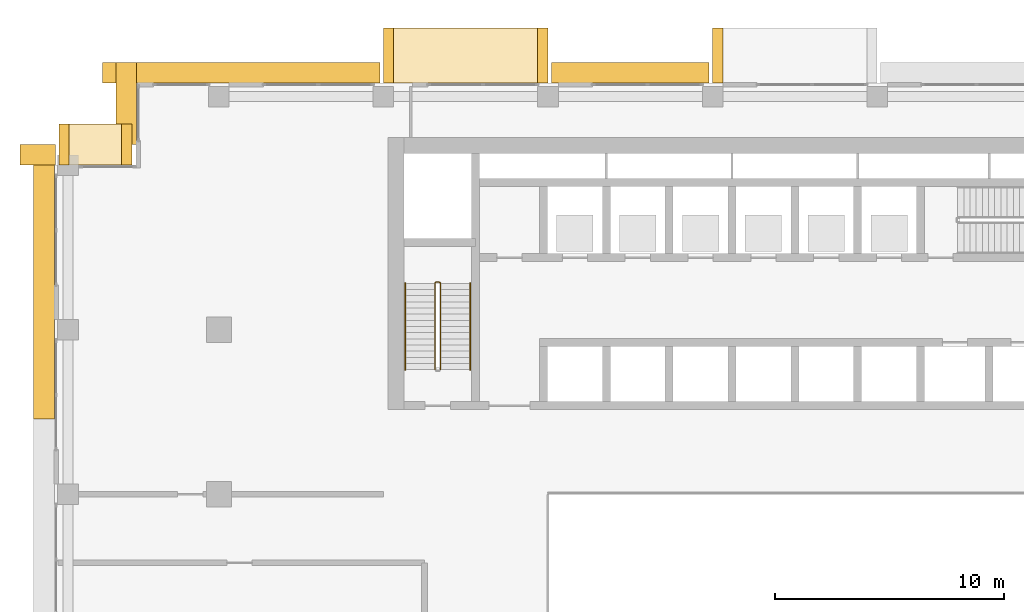
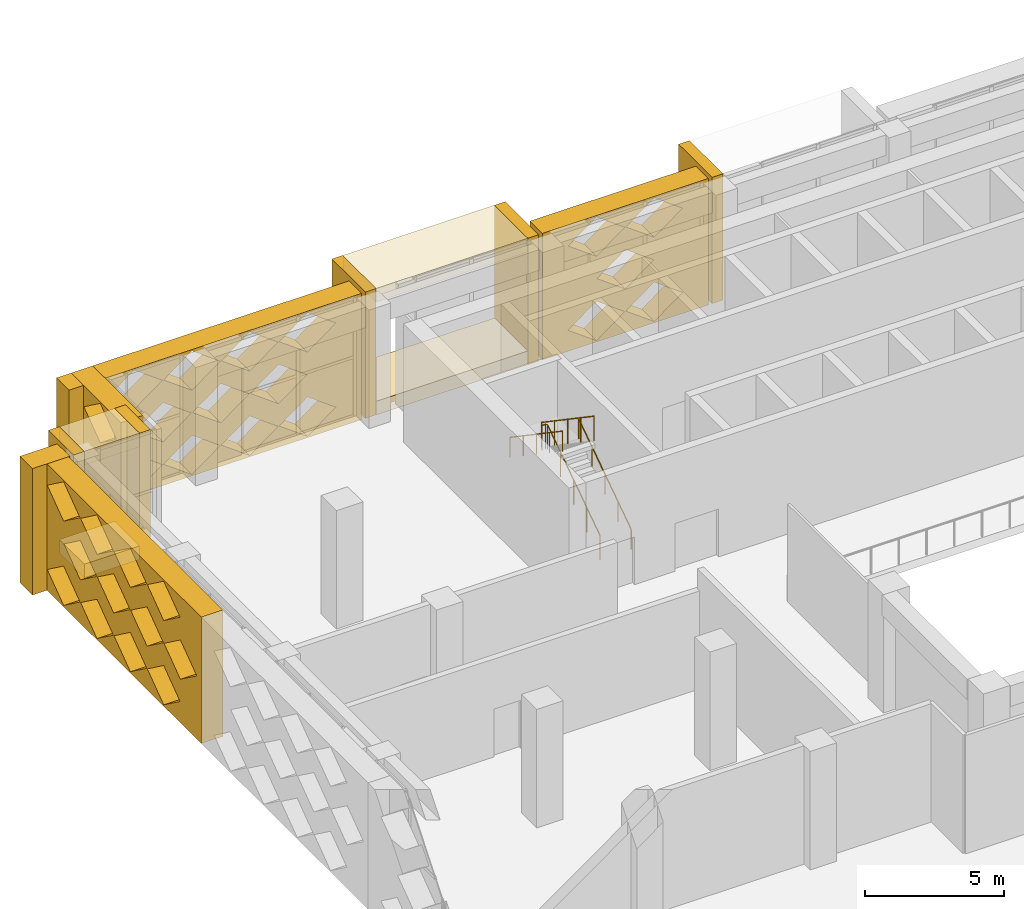
# One storey, part 22 of 25: 14 coverings, 3 railings.
"""IFC4 building model written with IfcOpenShell, lengths in metres."""

from ifc_helpers import new_model, si_unit, direction, frame, origin, origin_2d, place, context, subcontext, project, spatial, polyline, circle, outline, extrude, material, type_object, element, save


model = new_model("IFC4")

# Units and contexts
model_context = context("Model", 3, precision=1e-05, world=origin(), true_north=direction((0.0, 1.0)))
body_context = subcontext(model_context, "Body", "Model", "MODEL_VIEW")
ifc_project = project(units=[si_unit("LENGTHUNIT", "METRE"), si_unit("AREAUNIT", "SQUARE_METRE"), si_unit("VOLUMEUNIT", "CUBIC_METRE"), si_unit("PLANEANGLEUNIT", "RADIAN"), si_unit("MASSUNIT", "GRAM", prefix="KILO")], contexts=[model_context])

# Site, building, storey
site_placement = place(None, origin())
site = spatial("IfcSite", under=ifc_project, at=site_placement, CompositionType="ELEMENT")
building_placement = place(site_placement, origin())
building = spatial("IfcBuilding", under=site, at=building_placement, Name="Saffron Iwan Residences", CompositionType="ELEMENT")
storey_placement = place(building_placement, frame((0.0, 0.0, 137.5)))
storey = spatial("IfcBuildingStorey", under=building, at=storey_placement, Name="L36", CompositionType="ELEMENT", Elevation=137.5)

# Coverings
ifc_material_1 = material(Name="Precast concrete C40/50", Category="concrete")
covering_type_1 = type_object("IfcCoveringType", Name="OUTER SKIN LATTICE SCREEN", PredefinedType="CLADDING", material=ifc_material_1)
covering_1_placement = place(storey_placement, frame((43.050048828125, 80.39990234375, -0.35009765625), z_axis=(0.0, 1.0, 0.0), x_axis=(-1.0, 0.0, 0.0)))
element("IfcCovering", 1, at=covering_1_placement, inside=storey, type_object=covering_type_1, Name="OUTER SKIN lattice screen L36 F5.3", PredefinedType="CLADDING", context=body_context, shape_type="SweptSolid", body=[
    extrude(outline(polyline([(0.0, 0.0), (6.89990234375, 0.0), (6.89990234375, 5.550048828125), (0.0, 5.550048828125), (0.0, 0.0)]), holes=[polyline([(1.070068359375, 0.925048828125), (2.25, 0.06005859375), (3.429931640625, 0.925048828125), (2.25, 1.7900390625), (1.070068359375, 0.925048828125)]), polyline([(3.469970703125, 0.925048828125), (4.64990234375, 0.06005859375), (5.830078125, 0.925048828125), (4.64990234375, 1.7900390625), (3.469970703125, 0.925048828125)]), polyline([(2.27001953125, 2.77490234375), (3.449951171875, 1.909912109375), (4.6298828125, 2.77490234375), (3.449951171875, 3.639892578125), (2.27001953125, 2.77490234375)]), polyline([(1.070068359375, 4.625), (2.25, 3.760009765625), (3.429931640625, 4.625), (2.25, 5.489990234375), (1.070068359375, 4.625)]), polyline([(3.469970703125, 4.625), (4.64990234375, 3.760009765625), (5.830078125, 4.625), (4.64990234375, 5.489990234375), (3.469970703125, 4.625)])]), origin(), (0.0, 0.0, 1.0), 0.900146484375),
])
covering_2_placement = place(storey_placement, frame((28.64990234375, 80.39990234375, -0.35009765625), z_axis=(0.0, 1.0, 0.0), x_axis=(-1.0, 0.0, 0.0)))
element("IfcCovering", 2, at=covering_2_placement, inside=storey, type_object=covering_type_1, Name="OUTER SKIN lattice screen L36 F5.4", PredefinedType="CLADDING", context=body_context, shape_type="SweptSolid", body=[
    extrude(outline(polyline([(0.0, 0.0), (12.14990234375, 0.0), (12.14990234375, 5.550048828125), (0.0, 5.550048828125), (0.0, 0.0)]), holes=[polyline([(1.070068359375, 0.925048828125), (2.25, 0.06005859375), (3.429931640625, 0.925048828125), (2.25, 1.7900390625), (1.070068359375, 0.925048828125)]), polyline([(3.469970703125, 0.925048828125), (4.64990234375, 0.06005859375), (5.830078125, 0.925048828125), (4.64990234375, 1.7900390625), (3.469970703125, 0.925048828125)]), polyline([(5.8701171875, 0.925048828125), (7.050048828125, 0.06005859375), (8.22998046875, 0.925048828125), (7.050048828125, 1.7900390625), (5.8701171875, 0.925048828125)]), polyline([(8.27001953125, 0.925048828125), (9.449951171875, 0.06005859375), (10.6298828125, 0.925048828125), (9.449951171875, 1.7900390625), (8.27001953125, 0.925048828125)]), polyline([(2.27001953125, 2.77490234375), (3.449951171875, 1.909912109375), (4.6298828125, 2.77490234375), (3.449951171875, 3.639892578125), (2.27001953125, 2.77490234375)]), polyline([(4.669921875, 2.77490234375), (5.85009765625, 1.909912109375), (7.030029296875, 2.77490234375), (5.85009765625, 3.639892578125), (4.669921875, 2.77490234375)]), polyline([(7.070068359375, 2.77490234375), (8.25, 1.909912109375), (9.429931640625, 2.77490234375), (8.25, 3.639892578125), (7.070068359375, 2.77490234375)]), polyline([(9.469970703125, 2.77490234375), (10.64990234375, 1.909912109375), (11.830078125, 2.77490234375), (10.64990234375, 3.639892578125), (9.469970703125, 2.77490234375)]), polyline([(1.070068359375, 4.625), (2.25, 3.760009765625), (3.429931640625, 4.625), (2.25, 5.489990234375), (1.070068359375, 4.625)]), polyline([(3.469970703125, 4.625), (4.64990234375, 3.760009765625), (5.830078125, 4.625), (4.64990234375, 5.489990234375), (3.469970703125, 4.625)]), polyline([(5.8701171875, 4.625), (7.050048828125, 3.760009765625), (8.22998046875, 4.625), (7.050048828125, 5.489990234375), (5.8701171875, 4.625)]), polyline([(8.27001953125, 4.625), (9.449951171875, 3.760009765625), (10.6298828125, 4.625), (9.449951171875, 5.489990234375), (8.27001953125, 4.625)])]), origin(), (0.0, 0.0, 1.0), 0.900146484375),
])
covering_3_placement = place(storey_placement, frame((18.0, 81.300048828125, -0.35009765625), z_axis=(-1.0, 0.0, 0.0), x_axis=(0.0, -1.0, 0.0)))
element("IfcCovering", 3, at=covering_3_placement, inside=storey, type_object=covering_type_1, Name="OUTER SKIN lattice screen L36 F6.0", PredefinedType="CLADDING", context=body_context, shape_type="SweptSolid", body=[
    extrude(outline(polyline([(0.0, 0.0), (3.60009765625, 0.0), (3.60009765625, 5.550048828125), (0.0, 5.550048828125), (0.0, 0.0)]), holes=[polyline([(0.919921875, 0.925048828125), (2.10009765625, 0.06005859375), (3.280029296875, 0.925048828125), (2.10009765625, 1.7900390625), (0.919921875, 0.925048828125)]), polyline([(0.919921875, 4.625), (2.10009765625, 3.760009765625), (3.280029296875, 4.625), (2.10009765625, 5.489990234375), (0.919921875, 4.625)])]), origin(), (0.0, 0.0, 1.0), 0.89990234375),
])
covering_4_placement = place(storey_placement, frame((14.449951171875, 76.800048828125, -0.35009765625), z_axis=(0.0, 1.0, 0.0), x_axis=(-1.0, 0.0, 0.0)))
element("IfcCovering", 4, at=covering_4_placement, inside=storey, type_object=covering_type_1, Name="OUTER SKIN lattice screen L36 F7.0", PredefinedType="CLADDING", context=body_context, shape_type="SweptSolid", body=[
    extrude(outline(polyline([(0.0, 0.0), (1.550048828125, 0.0), (1.550048828125, 5.550048828125), (0.0, 5.550048828125), (0.0, 0.0)])), origin(), (0.0, 0.0, 1.0), 0.89990234375),
])
covering_5_placement = place(storey_placement, frame((14.39990234375, 77.699951171875, -0.35009765625), z_axis=(-1.0, 0.0, 0.0), x_axis=(0.0, -1.0, 0.0)))
element("IfcCovering", 5, at=covering_5_placement, inside=storey, type_object=covering_type_1, Name="OUTER SKIN lattice screen L36 F8.0", PredefinedType="CLADDING", context=body_context, shape_type="SweptSolid", body=[
    extrude(outline(polyline([(0.0, 0.0), (12.0, 0.0), (12.0, 5.550048828125), (0.0, 5.550048828125), (0.0, 0.0)]), holes=[polyline([(0.919921875, 0.925048828125), (2.10009765625, 0.06005859375), (3.280029296875, 0.925048828125), (2.10009765625, 1.7900390625), (0.919921875, 0.925048828125)]), polyline([(3.320068359375, 0.925048828125), (4.5, 0.06005859375), (5.679931640625, 0.925048828125), (4.5, 1.7900390625), (3.320068359375, 0.925048828125)]), polyline([(5.719970703125, 0.925048828125), (6.89990234375, 0.06005859375), (8.080078125, 0.925048828125), (6.89990234375, 1.7900390625), (5.719970703125, 0.925048828125)]), polyline([(8.1201171875, 0.925048828125), (9.300048828125, 0.06005859375), (10.47998046875, 0.925048828125), (9.300048828125, 1.7900390625), (8.1201171875, 0.925048828125)]), polyline([(2.1201171875, 2.77490234375), (3.300048828125, 1.909912109375), (4.47998046875, 2.77490234375), (3.300048828125, 3.639892578125), (2.1201171875, 2.77490234375)]), polyline([(4.52001953125, 2.77490234375), (5.699951171875, 1.909912109375), (6.8798828125, 2.77490234375), (5.699951171875, 3.639892578125), (4.52001953125, 2.77490234375)]), polyline([(6.919921875, 2.77490234375), (8.10009765625, 1.909912109375), (9.280029296875, 2.77490234375), (8.10009765625, 3.639892578125), (6.919921875, 2.77490234375)]), polyline([(9.320068359375, 2.77490234375), (10.5, 1.909912109375), (11.679931640625, 2.77490234375), (10.5, 3.639892578125), (9.320068359375, 2.77490234375)]), polyline([(0.919921875, 4.625), (2.10009765625, 3.760009765625), (3.280029296875, 4.625), (2.10009765625, 5.489990234375), (0.919921875, 4.625)]), polyline([(3.320068359375, 4.625), (4.5, 3.760009765625), (5.679931640625, 4.625), (4.5, 5.489990234375), (3.320068359375, 4.625)]), polyline([(5.719970703125, 4.625), (6.89990234375, 3.760009765625), (8.080078125, 4.625), (6.89990234375, 5.489990234375), (5.719970703125, 4.625)]), polyline([(8.1201171875, 4.625), (9.300048828125, 3.760009765625), (10.47998046875, 4.625), (9.300048828125, 5.489990234375), (8.1201171875, 4.625)])]), origin(), (0.0, 0.0, 1.0), 0.89990234375),
])

# Railings
ifc_material_2 = material(Name="Steel S355", Category="steel")
railing_type_1 = type_object("IfcRailingType", Name="Stair guard 1100", PredefinedType="GUARDRAIL", material=ifc_material_2)
railing_1_placement = place(storey_placement, frame((31.300048828125, 67.85009765625, 0.183349609375)))
element("IfcRailing", 6, at=railing_1_placement, inside=storey, type_object=railing_type_1, Name="L36 ST-W stair guard 1", PredefinedType="GUARDRAIL", context=body_context, shape_type="SweptSolid", body=[
    extrude(circle(Radius=0.02392578125, at=origin_2d()), frame((0.0, 0.0, 1.076171875), z_axis=(0.0, 0.827293068839, 0.56177057439), x_axis=(-1.0, 0.0, 0.0)), (0.0, 0.0, 1.0), 4.56884765625),
    extrude(circle(Radius=0.02392578125, at=origin_2d()), frame((0.0, 3.77978515625, 3.642578125), z_axis=(-0.707106781187, 0.707106781187, 0.0), x_axis=(-0.707106781187, -0.707106781187, 0.0)), (0.0, 0.0, 1.0), 0.07080078125),
    extrude(circle(Radius=0.02392578125, at=origin_2d()), frame((-0.050048828125, 3.829833984375, 3.642578125), z_axis=(-1.0, 0.0, 0.0), x_axis=(0.0, -1.0, 0.0)), (0.0, 0.0, 1.0), 0.14990234375),
    extrude(circle(Radius=0.02392578125, at=origin_2d()), frame((-0.199951171875, 3.829833984375, 3.642578125), z_axis=(-0.254653276557, -0.254653276557, 0.932900539971), x_axis=(0.707106781187, -0.707106781187, 0.0)), (0.0, 0.0, 1.0), 0.196533203125),
    extrude(circle(Radius=0.02392578125, at=origin_2d()), frame((-0.25, 3.77978515625, 3.826171875), z_axis=(0.0, -0.827293068839, 0.56177057439), x_axis=(1.0, 0.0, 0.0)), (0.0, 0.0, 1.0), 4.56884765625),
    extrude(circle(Radius=0.02099609375, at=origin_2d()), origin(), (0.0, 0.0, 1.0), 1.052001953125),
    extrude(circle(Radius=0.02099609375, at=origin_2d()), frame((0.0, 0.94482421875, 0.6416015625)), (0.0, 0.0, 1.0), 1.052001953125),
    extrude(circle(Radius=0.02099609375, at=origin_2d()), frame((0.0, 1.889892578125, 1.283203125)), (0.0, 0.0, 1.0), 1.052001953125),
    extrude(circle(Radius=0.02099609375, at=origin_2d()), frame((0.0, 2.8349609375, 1.925048828125)), (0.0, 0.0, 1.0), 1.052001953125),
    extrude(circle(Radius=0.02099609375, at=origin_2d()), frame((0.0, 3.77978515625, 2.566650390625)), (0.0, 0.0, 1.0), 1.052001953125),
    extrude(circle(Radius=0.02099609375, at=origin_2d()), frame((-0.050048828125, 3.829833984375, 2.566650390625)), (0.0, 0.0, 1.0), 1.052001953125),
    extrude(circle(Radius=0.02099609375, at=origin_2d()), frame((-0.199951171875, 3.829833984375, 2.566650390625)), (0.0, 0.0, 1.0), 1.052001953125),
    extrude(circle(Radius=0.02099609375, at=origin_2d()), frame((-0.25, 3.77978515625, 2.75)), (0.0, 0.0, 1.0), 1.052001953125),
    extrude(circle(Radius=0.02099609375, at=origin_2d()), frame((-0.25, 2.8349609375, 3.3916015625)), (0.0, 0.0, 1.0), 1.052001953125),
    extrude(circle(Radius=0.02099609375, at=origin_2d()), frame((-0.25, 1.889892578125, 4.033203125)), (0.0, 0.0, 1.0), 1.052001953125),
    extrude(circle(Radius=0.02099609375, at=origin_2d()), frame((-0.25, 0.94482421875, 4.675048828125)), (0.0, 0.0, 1.0), 1.052001953125),
    extrude(circle(Radius=0.02099609375, at=origin_2d()), frame((-0.25, 0.0, 5.316650390625)), (0.0, 0.0, 1.0), 1.052001953125),
])
ifc_material_3 = material(Name="Stainless steel 316", Category="steel")
railing_type_2 = type_object("IfcRailingType", Name="Stair handrail 900", PredefinedType="HANDRAIL", material=ifc_material_3)
railing_2_placement = place(storey_placement, frame((32.60009765625, 67.85009765625, 0.183349609375)))
element("IfcRailing", 7, at=railing_2_placement, inside=storey, type_object=railing_type_2, Name="L36 ST-W stair handrail 1", PredefinedType="HANDRAIL", context=body_context, shape_type="SweptSolid", body=[
    extrude(circle(Radius=0.02392578125, at=origin_2d()), frame((0.0, 0.0, 0.8759765625), z_axis=(0.0, 0.827293068839, 0.56177057439), x_axis=(-1.0, 0.0, 0.0)), (0.0, 0.0, 1.0), 4.56884765625),
    extrude(circle(Radius=0.02099609375, at=origin_2d()), origin(), (0.0, 0.0, 1.0), 0.851806640625),
    extrude(circle(Radius=0.02099609375, at=origin_2d()), frame((0.0, 0.94482421875, 0.6416015625)), (0.0, 0.0, 1.0), 0.851806640625),
    extrude(circle(Radius=0.02099609375, at=origin_2d()), frame((0.0, 1.889892578125, 1.283203125)), (0.0, 0.0, 1.0), 0.851806640625),
    extrude(circle(Radius=0.02099609375, at=origin_2d()), frame((0.0, 2.8349609375, 1.925048828125)), (0.0, 0.0, 1.0), 0.851806640625),
    extrude(circle(Radius=0.02099609375, at=origin_2d()), frame((0.0, 3.77978515625, 2.566650390625)), (0.0, 0.0, 1.0), 0.851806640625),
])
railing_3_placement = place(storey_placement, frame((29.75, 71.6298828125, 2.933349609375)))
element("IfcRailing", 8, at=railing_3_placement, inside=storey, type_object=railing_type_2, Name="L36 ST-W stair handrail 2", PredefinedType="HANDRAIL", context=body_context, shape_type="SweptSolid", body=[
    extrude(circle(Radius=0.02392578125, at=origin_2d()), frame((0.0, 0.0, 0.8759765625), z_axis=(0.0, -0.827293068839, 0.56177057439), x_axis=(1.0, 0.0, 0.0)), (0.0, 0.0, 1.0), 4.56884765625),
    extrude(circle(Radius=0.02099609375, at=origin_2d()), origin(), (0.0, 0.0, 1.0), 0.851806640625),
    extrude(circle(Radius=0.02099609375, at=origin_2d()), frame((0.0, -0.94482421875, 0.6416015625)), (0.0, 0.0, 1.0), 0.851806640625),
    extrude(circle(Radius=0.02099609375, at=origin_2d()), frame((0.0, -1.889892578125, 1.283203125)), (0.0, 0.0, 1.0), 0.851806640625),
    extrude(circle(Radius=0.02099609375, at=origin_2d()), frame((0.0, -2.8349609375, 1.925048828125)), (0.0, 0.0, 1.0), 0.851806640625),
    extrude(circle(Radius=0.02099609375, at=origin_2d()), frame((0.0, -3.77978515625, 2.566650390625)), (0.0, 0.0, 1.0), 0.851806640625),
])

# Coverings
ifc_material_4 = material(Name="Precast concrete C40/50 white painted", Category="concrete")
covering_type_2 = type_object("IfcCoveringType", Name="WHITE SUN FRAME PRECAST", PredefinedType="CLADDING", material=ifc_material_4)
for number, where, z_axis, x_axis, name in (
    (9, (43.64990234375, 80.39990234375, -0.35009765625), (0.0, 1.0, 0.0), (-1.0, 0.0, 0.0), "Sun frame L36 F5 32.4b"),
    (10, (36.0, 80.39990234375, -0.35009765625), (0.0, 1.0, 0.0), (-1.0, 0.0, 0.0), "Sun frame L36 F5 46.8a"),
    (11, (29.25, 80.39990234375, -0.35009765625), (0.0, 1.0, 0.0), (-1.0, 0.0, 0.0), "Sun frame L36 F5 46.8b"),
):
    element("IfcCovering", number, at=place(storey_placement, frame(where, z_axis=z_axis, x_axis=x_axis)), inside=storey, type_object=covering_type_2, Name=name, PredefinedType="CLADDING", context=body_context, shape_type="SweptSolid", body=[
        extrude(outline(polyline([(0.0, 0.0), (0.449951171875, 0.0), (0.449951171875, 5.550048828125), (0.0, 5.550048828125), (0.0, 0.0)])), origin(), (0.0, 0.0, 1.0), 2.400146484375),
    ])
for number, where, z_axis, x_axis, name in (
    (12, (35.550048828125, 80.39990234375, 4.60009765625), (0.0, 1.0, 0.0), (-1.0, 0.0, 0.0), "Sun frame L36 F5 46.8h"),
    (13, (35.550048828125, 80.39990234375, -0.35009765625), (0.0, 1.0, 0.0), (-1.0, 0.0, 0.0), "Sun frame L36 F5 46.8s"),
):
    element("IfcCovering", number, at=place(storey_placement, frame(where, z_axis=z_axis, x_axis=x_axis)), inside=storey, type_object=covering_type_2, Name=name, PredefinedType="CLADDING", context=body_context, shape_type="SweptSolid", body=[
        extrude(outline(polyline([(0.0, 0.0), (6.300048828125, 0.0), (6.300048828125, 0.60009765625), (0.0, 0.60009765625), (0.0, 0.0)])), origin(), (0.0, 0.0, 1.0), 2.400146484375),
    ])
for number, where, z_axis, x_axis, name in (
    (14, (17.800048828125, 76.800048828125, -0.35009765625), (0.0, 1.0, 0.0), (-1.0, 0.0, 0.0), "Sun frame L36 F7 0.2a"),
    (15, (15.050048828125, 76.800048828125, -0.35009765625), (0.0, 1.0, 0.0), (-1.0, 0.0, 0.0), "Sun frame L36 F7 0.2b"),
):
    element("IfcCovering", number, at=place(storey_placement, frame(where, z_axis=z_axis, x_axis=x_axis)), inside=storey, type_object=covering_type_2, Name=name, PredefinedType="CLADDING", context=body_context, shape_type="SweptSolid", body=[
        extrude(outline(polyline([(0.0, 0.0), (0.449951171875, 0.0), (0.449951171875, 5.550048828125), (0.0, 5.550048828125), (0.0, 0.0)])), origin(), (0.0, 0.0, 1.0), 1.800048828125),
    ])
for number, where, z_axis, x_axis, name in (
    (16, (17.35009765625, 76.800048828125, 4.60009765625), (0.0, 1.0, 0.0), (-1.0, 0.0, 0.0), "Sun frame L36 F7 0.2h"),
    (17, (17.35009765625, 76.800048828125, -0.35009765625), (0.0, 1.0, 0.0), (-1.0, 0.0, 0.0), "Sun frame L36 F7 0.2s"),
):
    element("IfcCovering", number, at=place(storey_placement, frame(where, z_axis=z_axis, x_axis=x_axis)), inside=storey, type_object=covering_type_2, Name=name, PredefinedType="CLADDING", context=body_context, shape_type="SweptSolid", body=[
        extrude(outline(polyline([(0.0, 0.0), (2.300048828125, 0.0), (2.300048828125, 0.60009765625), (0.0, 0.60009765625), (0.0, 0.0)])), origin(), (0.0, 0.0, 1.0), 1.800048828125),
    ])

save(model, "model.ifc")
